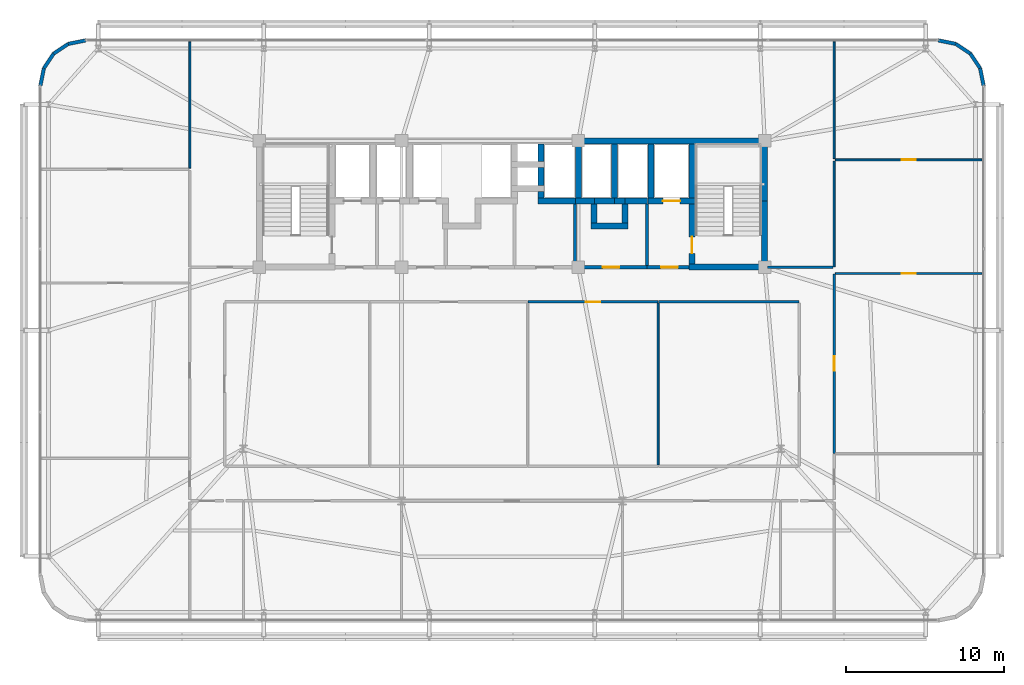
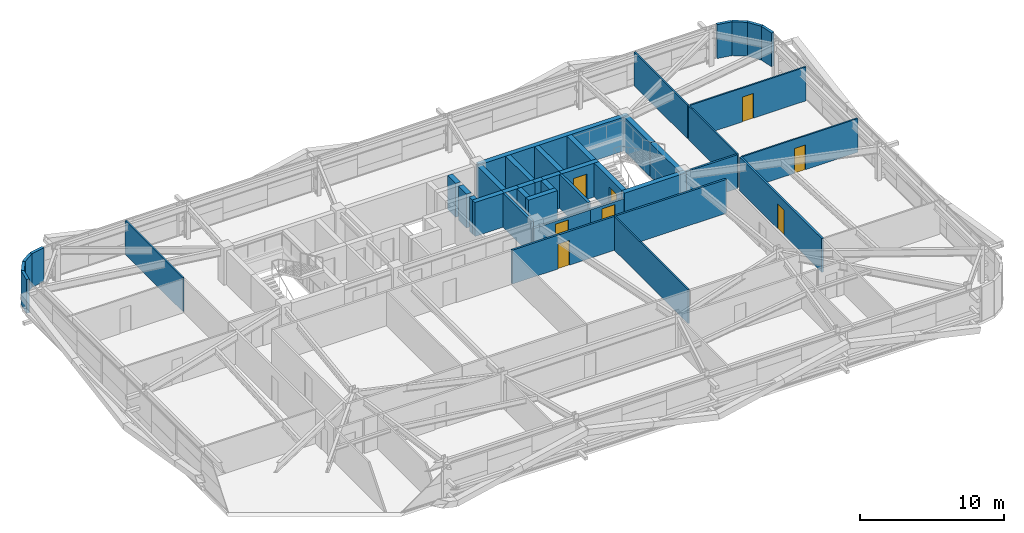
# One storey, part 41 of 45: 43 walls, 8 doors, 8 openings.
"""IFC4 building model written with IfcOpenShell, lengths in metres."""

from ifc_helpers import new_model, si_unit, direction, frame, frame_2d, origin, place, context, subcontext, project, spatial, rectangle, extrude, source, transform, mapped, material, layer, layer_set, type_object, element, fill, save


model = new_model("IFC4")

# Units and contexts
model_context = context("Model", 3, precision=1e-05, world=origin(), true_north=direction((0.0, 1.0)))
body_context = subcontext(model_context, "Body", "Model", "MODEL_VIEW")
ifc_project = project(units=[si_unit("LENGTHUNIT", "METRE"), si_unit("AREAUNIT", "SQUARE_METRE"), si_unit("VOLUMEUNIT", "CUBIC_METRE"), si_unit("PLANEANGLEUNIT", "RADIAN"), si_unit("MASSUNIT", "GRAM", prefix="KILO")], contexts=[model_context])

# Site, building, storey
site_placement = place(None, origin())
site = spatial("IfcSite", under=ifc_project, at=site_placement, CompositionType="ELEMENT")
building_placement = place(site_placement, origin())
building = spatial("IfcBuilding", under=site, at=building_placement, Name="Taldren Reach Tower", CompositionType="ELEMENT")
storey_placement = place(building_placement, frame((0.0, 0.0, 57.75)))
storey = spatial("IfcBuildingStorey", under=building, at=storey_placement, Name="L17", CompositionType="ELEMENT", Elevation=57.75)

# Walls
ifc_material_1 = material(Name="Pale Champagne Anodised Aluminium Cladding", Category="aluminium")
ifc_layer_1 = layer(ifc_material_1, 0.04, Name="Pale Champagne Anodised Aluminium Cladding", Category="aluminium")
ifc_material_2 = material(Name="Mineral Wool Acoustic Insulation", Category="insulation")
ifc_layer_2 = layer(ifc_material_2, 0.06, Name="Mineral Wool Acoustic Insulation", Category="insulation")
ifc_material_3 = material(Name="Steel Gr 350 (C350L0)", Category="steel")
ifc_layer_3 = layer(ifc_material_3, 0.12, Name="Steel Gr 350 (C350L0)", Category="steel")
ifc_layer_set_1 = layer_set([ifc_layer_1, ifc_layer_2, ifc_layer_3], Name="Pale Champagne Aluminium Cladding and Steel Gr 350 Stud Framing")
wall_type_1 = type_object("IfcWallType", Name="EW-CRN-220", PredefinedType="SOLIDWALL", material=ifc_layer_set_1)
shared_shape_1 = source(origin(), body_context, "Body", "SweptSolid", [
    extrude(rectangle(XDim=1.115966796875, YDim=0.219970703125, at=frame_2d((0.55810546875, 0.0))), origin(), (0.0, 0.0, 1.0), 2.8701171875),
])
for number, where, z_axis, x_axis, name in (
    (1, (64.860107421875, 35.5, 0.0), (0.0, 0.0, 1.0), (-0.195148375659, 0.98077373103, 0.0), "Rounded-corner pale-metal facade wall L17-NE1"),
    (2, (64.642333984375, 36.594482421875, 0.0), (0.0, 0.0, 1.0), (-0.555709556774, 0.83137650226, 0.0), "Rounded-corner pale-metal facade wall L17-NE2"),
    (3, (64.022216796875, 37.522216796875, 0.0), (0.0, 0.0, 1.0), (-0.83137650226, 0.555709556774, 0.0), "Rounded-corner pale-metal facade wall L17-NE3"),
    (4, (63.094482421875, 38.142333984375, 0.0), (0.0, 0.0, 1.0), (-0.98077373103, 0.195148375659, 0.0), "Rounded-corner pale-metal facade wall L17-NE4"),
    (5, (8.0, 38.360107421875, 0.0), (0.0, 0.0, 1.0), (-0.98077373103, -0.195148375659, 0.0), "Rounded-corner pale-metal facade wall L17-NW1"),
    (6, (6.905517578125, 38.142333984375, 0.0), (0.0, 0.0, 1.0), (-0.83137650226, -0.555709556774, 0.0), "Rounded-corner pale-metal facade wall L17-NW2"),
    (7, (5.977783203125, 37.522216796875, 0.0), (0.0, 0.0, 1.0), (-0.555709556774, -0.83137650226, 0.0), "Rounded-corner pale-metal facade wall L17-NW3"),
    (8, (5.357666015625, 36.594482421875, 0.0), (0.0, 0.0, 1.0), (-0.195148375659, -0.98077373103, 0.0), "Rounded-corner pale-metal facade wall L17-NW4"),
):
    element("IfcWall", number, at=place(storey_placement, frame(where, z_axis=z_axis, x_axis=x_axis)), inside=storey, type_object=wall_type_1, Name=name, PredefinedType="SOLIDWALL", context=body_context, shape_type="MappedRepresentation", body=[
        mapped(shared_shape_1, transform((0.0, 0.0, 0.0), scale=1.0)),
    ])
ifc_material_4 = material(Name="Concrete S80 (80 MPa)", Category="concrete")
ifc_layer_4 = layer(ifc_material_4, 0.3798828125)
ifc_layer_set_2 = layer_set([ifc_layer_4], Name="Concrete S80 (80 MPa)")
wall_type_2 = type_object("IfcWallType", Name="IW-CORE-380", PredefinedType="SHEAR", material=ifc_layer_set_2)
shared_shape_2 = source(origin(), body_context, "Body", "SweptSolid", [
    extrude(rectangle(XDim=11.989990234375, YDim=0.3798828125, at=frame_2d((5.9951171875, 0.0))), origin(), (0.0, 0.0, 1.0), 2.8701171875),
])
wall_1_placement = place(storey_placement, frame((39.199951171875, 32.0, 0.0), z_axis=(0.0, 0.0, 1.0), x_axis=(1.0, 0.0, 0.0)))
element("IfcWall", 9, at=wall_1_placement, inside=storey, type_object=wall_type_2, Name="Rear Core Shear Wall W-CORE-L17-NORTH3", PredefinedType="SHEAR", context=body_context, shape_type="MappedRepresentation", body=[
    mapped(shared_shape_2, transform((0.0, 0.0, 0.0), scale=1.0)),
])
shared_shape_3 = source(origin(), body_context, "Body", "SweptSolid", [
    extrude(rectangle(XDim=4.010009765625, YDim=0.3798828125, at=frame_2d((2.0048828125, 0.0))), origin(), (0.0, 0.0, 1.0), 2.8701171875),
])
wall_2_placement = place(storey_placement, frame((51.0, 24.18994140625, 0.0), z_axis=(0.0, 0.0, 1.0), x_axis=(0.0, 1.0, 0.0)))
element("IfcWall", 10, at=wall_2_placement, inside=storey, type_object=wall_type_2, Name="Rear Core Shear Wall W-CORE-L17-EAST1", PredefinedType="SHEAR", context=body_context, shape_type="MappedRepresentation", body=[
    mapped(shared_shape_3, transform((0.0, 0.0, 0.0), scale=1.0)),
])
shared_shape_4 = source(origin(), body_context, "Body", "SweptSolid", [
    extrude(rectangle(XDim=3.610107421875, YDim=0.3798828125, at=frame_2d((1.80517578125, 0.0))), origin(), (0.0, 0.0, 1.0), 2.8701171875),
])
wall_3_placement = place(storey_placement, frame((51.0, 28.199951171875, 0.0), z_axis=(0.0, 0.0, 1.0), x_axis=(0.0, 1.0, 0.0)))
element("IfcWall", 11, at=wall_3_placement, inside=storey, type_object=wall_type_2, Name="Rear Core Shear Wall W-CORE-L17-EAST2", PredefinedType="SHEAR", context=body_context, shape_type="MappedRepresentation", body=[
    mapped(shared_shape_4, transform((0.0, 0.0, 0.0), scale=1.0)),
])
shared_shape_5 = source(origin(), body_context, "Body", "SweptSolid", [
    extrude(rectangle(XDim=3.420166015625, YDim=0.3798828125, at=frame_2d((1.7099609375, 0.0))), origin(), (0.0, 0.0, 1.0), 2.8701171875),
])
for number, where, z_axis, x_axis, name in (
    (12, (46.39990234375, 31.81005859375, 0.0), (0.0, 0.0, 1.0), (0.0, -1.0, 0.0), "Rear Core Shear Wall W-INT-L17-008"),
    (13, (43.800048828125, 31.81005859375, 0.0), (0.0, 0.0, 1.0), (0.0, -1.0, 0.0), "Rear Core Shear Wall W-INT-L17-012"),
    (14, (39.199951171875, 28.389892578125, 0.0), (0.0, 0.0, 1.0), (0.0, 1.0, 0.0), "Rear Core Shear Wall W-INT-L17-036"),
    (15, (41.5, 28.389892578125, 0.0), (0.0, 0.0, 1.0), (0.0, 1.0, 0.0), "Rear Core Shear Wall W-INT-L17-039"),
):
    element("IfcWall", number, at=place(storey_placement, frame(where, z_axis=z_axis, x_axis=x_axis)), inside=storey, type_object=wall_type_2, Name=name, PredefinedType="SHEAR", context=body_context, shape_type="MappedRepresentation", body=[
        mapped(shared_shape_5, transform((0.0, 0.0, 0.0), scale=1.0)),
    ])

# Wall, opening, door
shared_shape_6 = source(origin(), body_context, "Body", "SweptSolid", [
    extrude(rectangle(XDim=3.820068359375, YDim=0.3798828125, at=frame_2d((1.91015625, 0.0))), origin(), (0.0, 0.0, 1.0), 2.8701171875),
])
wall_4_placement = place(storey_placement, frame((46.39990234375, 28.010009765625, 0.0), z_axis=(0.0, 0.0, 1.0), x_axis=(0.0, -1.0, 0.0)))
wall_4 = element("IfcWall", 16, at=wall_4_placement, inside=storey, type_object=wall_type_2, Name="Rear Core Shear Wall W-INT-L17-009", PredefinedType="SHEAR", context=body_context, shape_type="MappedRepresentation", body=[
    mapped(shared_shape_6, transform((0.0, 0.0, 0.0), scale=1.0)),
])
shared_shape_7 = source(origin(), body_context, "Body", "SweptSolid", [
    extrude(rectangle(XDim=1.050048828125, YDim=2.10009765625, at=frame_2d((0.52490234375, 1.050048828125))), frame((0.0, 0.199951171875, 0.0), z_axis=(0.0, -1.0, 0.0), x_axis=(1.0, 0.0, 0.0)), (0.0, 0.0, 1.0), 0.39990234375),
])
opening_1_placement = place(wall_4_placement, frame((2.0849609375, 0.0, 0.0)))
opening_1 = element("IfcOpeningElement", 17, at=opening_1_placement, cuts=wall_4, Name="Opening DF-105", PredefinedType="OPENING", context=body_context, shape_type="MappedRepresentation", body=[
    mapped(shared_shape_7, transform((0.0, 0.0, 0.0), scale=1.0)),
])
ifc_material_5 = material(Name="Fire-Rated Care and Stair Exit Door")
door_type_1 = type_object("IfcDoorType", Name="ID-FIRE-105", OperationType="NOTDEFINED", PredefinedType="DOOR", material=ifc_material_5)
shared_shape_8 = source(origin(), body_context, "Body", "SweptSolid", [
    extrude(rectangle(XDim=1.050048828125, YDim=2.10009765625, at=frame_2d((0.52490234375, 1.050048828125))), frame((0.0, 0.02490234375, 0.0), z_axis=(0.0, -1.0, 0.0), x_axis=(1.0, 0.0, 0.0)), (0.0, 0.0, 1.0), 0.050048828125),
])
door_1_placement = place(opening_1_placement, origin())
door_1 = element("IfcDoor", 18, at=door_1_placement, inside=storey, type_object=door_type_1, Name="Fire Exit Stair Door DR-L17-003", OperationType="SINGLE_SWING_RIGHT", OverallHeight=2.10009765625, OverallWidth=1.050048828125, PredefinedType="DOOR", context=body_context, shape_type="MappedRepresentation", body=[
    mapped(shared_shape_8, transform((0.0, 0.0, 0.0), scale=1.0)),
])
fill(opening_1, door_1)

# Wall
shared_shape_9 = source(origin(), body_context, "Body", "SweptSolid", [
    extrude(rectangle(XDim=4.97998046875, YDim=0.3798828125, at=frame_2d((2.489990234375, 0.0))), origin(), (0.0, 0.0, 1.0), 2.8701171875),
])
wall_5_placement = place(storey_placement, frame((46.2099609375, 24.0, 0.0), z_axis=(0.0, 0.0, 1.0), x_axis=(1.0, 0.0, 0.0)))
element("IfcWall", 19, at=wall_5_placement, inside=storey, type_object=wall_type_2, Name="Rear Core Shear Wall W-INT-L17-010", PredefinedType="SHEAR", context=body_context, shape_type="MappedRepresentation", body=[
    mapped(shared_shape_9, transform((0.0, 0.0, 0.0), scale=1.0)),
])

# Wall, opening, door
shared_shape_10 = source(origin(), body_context, "Body", "SweptSolid", [
    extrude(rectangle(XDim=2.97998046875, YDim=0.3798828125, at=frame_2d((1.489990234375, 0.0))), origin(), (0.0, 0.0, 1.0), 2.8701171875),
])
wall_6_placement = place(storey_placement, frame((43.610107421875, 28.199951171875, 0.0), z_axis=(0.0, 0.0, 1.0), x_axis=(1.0, 0.0, 0.0)))
wall_6 = element("IfcWall", 20, at=wall_6_placement, inside=storey, type_object=wall_type_2, Name="Rear Core Shear Wall W-INT-L17-011", PredefinedType="SHEAR", context=body_context, shape_type="MappedRepresentation", body=[
    mapped(shared_shape_10, transform((0.0, 0.0, 0.0), scale=1.0)),
])
shared_shape_11 = source(origin(), body_context, "Body", "SweptSolid", [
    extrude(rectangle(XDim=1.10009765625, YDim=2.14990234375, at=frame_2d((0.550048828125, 1.074951171875))), frame((0.0, 0.199951171875, 0.0), z_axis=(0.0, -1.0, 0.0), x_axis=(1.0, 0.0, 0.0)), (0.0, 0.0, 1.0), 0.39990234375),
])
opening_2_placement = place(wall_6_placement, frame((0.93994140625, 0.0, 0.0)))
opening_2 = element("IfcOpeningElement", 21, at=opening_2_placement, cuts=wall_6, Name="Opening LD-FL2", PredefinedType="OPENING", context=body_context, shape_type="MappedRepresentation", body=[
    mapped(shared_shape_11, transform((0.0, 0.0, 0.0), scale=1.0)),
])
ifc_material_6 = material(Name="Stainless Steel Gr 316 Emergency Lift Landing Door", Category="steel")
door_type_2 = type_object("IfcDoorType", Name="LD-EMG-110", OperationType="SLIDING_TO_LEFT", PredefinedType="DOOR", material=ifc_material_6)
shared_shape_12 = source(origin(), body_context, "Body", "SweptSolid", [
    extrude(rectangle(XDim=1.10009765625, YDim=2.14990234375, at=frame_2d((0.550048828125, 1.074951171875))), frame((0.0, 0.02490234375, 0.0), z_axis=(0.0, -1.0, 0.0), x_axis=(1.0, 0.0, 0.0)), (0.0, 0.0, 1.0), 0.050048828125),
])
door_2_placement = place(opening_2_placement, origin())
door_2 = element("IfcDoor", 22, at=door_2_placement, inside=storey, type_object=door_type_2, Name="Lift Landing Door LD-FL2-L17", OperationType="SLIDING_TO_LEFT", OverallHeight=2.14990234375, OverallWidth=1.10009765625, PredefinedType="DOOR", context=body_context, shape_type="MappedRepresentation", body=[
    mapped(shared_shape_12, transform((0.0, 0.0, 0.0), scale=1.0)),
])
fill(opening_2, door_2)

# Walls
ifc_material_7 = material(Name="Concrete S50 (50 MPa)", Category="concrete")
ifc_layer_5 = layer(ifc_material_7, 0.199951171875)
ifc_layer_set_3 = layer_set([ifc_layer_5], Name="Concrete S50 (50 MPa)")
wall_type_3 = type_object("IfcWallType", Name="IW-CORE-200", PredefinedType="SOLIDWALL", material=ifc_layer_set_3)
shared_shape_13 = source(origin(), body_context, "Body", "SweptSolid", [
    extrude(rectangle(XDim=3.909912109375, YDim=0.199951171875, at=frame_2d((1.955078125, 0.0))), origin(), (0.0, 0.0, 1.0), 2.8701171875),
])
for number, where, z_axis, x_axis, name in (
    (23, (43.550048828125, 28.010009765625, 0.0), (0.0, 0.0, 1.0), (0.0, -1.0, 0.0), "Rear Core Shear Wall W-INT-L17-013"),
    (24, (39.0, 28.010009765625, 0.0), (0.0, 0.0, 1.0), (0.0, -1.0, 0.0), "Rear Core Shear Wall W-INT-L17-044"),
):
    element("IfcWall", number, at=place(storey_placement, frame(where, z_axis=z_axis, x_axis=x_axis)), inside=storey, type_object=wall_type_3, Name=name, PredefinedType="SOLIDWALL", context=body_context, shape_type="MappedRepresentation", body=[
        mapped(shared_shape_13, transform((0.0, 0.0, 0.0), scale=1.0)),
    ])

# Wall, opening, door
shared_shape_14 = source(origin(), body_context, "Body", "SweptSolid", [
    extrude(rectangle(XDim=2.659912109375, YDim=0.199951171875, at=frame_2d((1.330078125, 0.0))), origin(), (0.0, 0.0, 1.0), 2.3369140625),
])
wall_7_placement = place(storey_placement, frame((43.550048828125, 24.0, 0.0), z_axis=(0.0, 0.0, 1.0), x_axis=(1.0, 0.0, 0.0)))
wall_7 = element("IfcWall", 25, at=wall_7_placement, inside=storey, type_object=wall_type_3, Name="Rear Core Shear Wall W-INT-L17-014", PredefinedType="SOLIDWALL", context=body_context, shape_type="MappedRepresentation", body=[
    mapped(shared_shape_14, transform((0.0, 0.0, 0.0), scale=1.0)),
])
shared_shape_15 = source(origin(), body_context, "Body", "SweptSolid", [
    extrude(rectangle(XDim=1.050048828125, YDim=2.10009765625, at=frame_2d((0.52490234375, 1.050048828125))), frame((0.0, 0.10986328125, 0.0), z_axis=(0.0, -1.0, 0.0), x_axis=(1.0, 0.0, 0.0)), (0.0, 0.0, 1.0), 0.219970703125),
])
opening_3_placement = place(wall_7_placement, frame((0.89990234375, 0.0, 0.0)))
opening_3 = element("IfcOpeningElement", 26, at=opening_3_placement, cuts=wall_7, Name="Opening DF-105", PredefinedType="OPENING", context=body_context, shape_type="MappedRepresentation", body=[
    mapped(shared_shape_15, transform((0.0, 0.0, 0.0), scale=1.0)),
])
door_3_placement = place(opening_3_placement, origin())
door_3 = element("IfcDoor", 27, at=door_3_placement, inside=storey, type_object=door_type_1, Name="Interior Door DR-L17-004", OperationType="SINGLE_SWING_LEFT", OverallHeight=2.10009765625, OverallWidth=1.050048828125, PredefinedType="DOOR", context=body_context, shape_type="MappedRepresentation", body=[
    mapped(shared_shape_8, transform((0.0, 0.0, 0.0), scale=1.0)),
])
fill(opening_3, door_3)

# Walls
shared_shape_16 = source(origin(), body_context, "Body", "SweptSolid", [
    extrude(rectangle(XDim=1.1201171875, YDim=0.3798828125, at=frame_2d((0.56005859375, 0.0))), origin(), (0.0, 0.0, 1.0), 2.8701171875),
])
for number, where, z_axis, x_axis, name in (
    (28, (36.85009765625, 30.68994140625, 0.0), (0.0, 0.0, 1.0), (0.0, 1.0, 0.0), "Rear Core Shear Wall W-INT-L17-017"),
    (29, (36.85009765625, 29.18994140625, 0.0), (0.0, 0.0, 1.0), (0.0, 1.0, 0.0), "Rear Core Shear Wall W-INT-L17-019"),
):
    element("IfcWall", number, at=place(storey_placement, frame(where, z_axis=z_axis, x_axis=x_axis)), inside=storey, type_object=wall_type_2, Name=name, PredefinedType="SHEAR", context=body_context, shape_type="MappedRepresentation", body=[
        mapped(shared_shape_16, transform((0.0, 0.0, 0.0), scale=1.0)),
    ])
shared_shape_17 = source(origin(), body_context, "Body", "SweptSolid", [
    extrude(rectangle(XDim=1.219970703125, YDim=0.3798828125, at=frame_2d((0.60986328125, 0.0))), origin(), (0.0, 0.0, 1.0), 2.8701171875),
])
for number, where, z_axis, x_axis, name in (
    (30, (40.199951171875, 28.010009765625, 0.0), (0.0, 0.0, 1.0), (0.0, -1.0, 0.0), "Rear Core Shear Wall W-INT-L17-027"),
    (31, (42.14990234375, 26.7900390625, 0.0), (0.0, 0.0, 1.0), (0.0, 1.0, 0.0), "Rear Core Shear Wall W-INT-L17-028"),
):
    element("IfcWall", number, at=place(storey_placement, frame(where, z_axis=z_axis, x_axis=x_axis)), inside=storey, type_object=wall_type_2, Name=name, PredefinedType="SHEAR", context=body_context, shape_type="MappedRepresentation", body=[
        mapped(shared_shape_17, transform((0.0, 0.0, 0.0), scale=1.0)),
    ])
shared_shape_18 = source(origin(), body_context, "Body", "SweptSolid", [
    extrude(rectangle(XDim=1.320068359375, YDim=0.3798828125, at=frame_2d((0.66015625, 0.0))), origin(), (0.0, 0.0, 1.0), 2.8701171875),
])
wall_8_placement = place(storey_placement, frame((41.52001953125, 28.199951171875, 0.0), z_axis=(0.0, 0.0, 1.0), x_axis=(-1.0, 0.0, 0.0)))
element("IfcWall", 32, at=wall_8_placement, inside=storey, type_object=wall_type_2, Name="Rear Core Shear Wall W-INT-L17-024", PredefinedType="SHEAR", context=body_context, shape_type="MappedRepresentation", body=[
    mapped(shared_shape_18, transform((0.0, 0.0, 0.0), scale=1.0)),
])
shared_shape_19 = source(origin(), body_context, "Body", "SweptSolid", [
    extrude(rectangle(XDim=0.669921875, YDim=0.3798828125, at=frame_2d((0.3349609375, 0.0))), origin(), (0.0, 0.0, 1.0), 2.8701171875),
])
wall_9_placement = place(storey_placement, frame((42.14990234375, 28.199951171875, 0.0), z_axis=(0.0, 0.0, 1.0), x_axis=(-1.0, 0.0, 0.0)))
element("IfcWall", 33, at=wall_9_placement, inside=storey, type_object=wall_type_2, Name="Rear Core Shear Wall W-INT-L17-025", PredefinedType="SHEAR", context=body_context, shape_type="MappedRepresentation", body=[
    mapped(shared_shape_19, transform((0.0, 0.0, 0.0), scale=1.0)),
])
shared_shape_20 = source(origin(), body_context, "Body", "SweptSolid", [
    extrude(rectangle(XDim=2.330078125, YDim=0.3798828125, at=frame_2d((1.1650390625, 0.0))), origin(), (0.0, 0.0, 1.0), 2.8701171875),
])
wall_10_placement = place(storey_placement, frame((40.010009765625, 26.60009765625, 0.0), z_axis=(0.0, 0.0, 1.0), x_axis=(1.0, 0.0, 0.0)))
element("IfcWall", 34, at=wall_10_placement, inside=storey, type_object=wall_type_2, Name="Rear Core Shear Wall W-INT-L17-026", PredefinedType="SHEAR", context=body_context, shape_type="MappedRepresentation", body=[
    mapped(shared_shape_20, transform((0.0, 0.0, 0.0), scale=1.0)),
])
shared_shape_21 = source(origin(), body_context, "Body", "SweptSolid", [
    extrude(rectangle(XDim=0.420166015625, YDim=0.3798828125, at=frame_2d((0.2099609375, 0.0))), origin(), (0.0, 0.0, 1.0), 2.8701171875),
])
wall_11_placement = place(storey_placement, frame((36.85009765625, 28.81005859375, 0.0), z_axis=(0.0, 0.0, 1.0), x_axis=(0.0, -1.0, 0.0)))
element("IfcWall", 35, at=wall_11_placement, inside=storey, type_object=wall_type_2, Name="Rear Core Shear Wall W-INT-L17-038", PredefinedType="SHEAR", context=body_context, shape_type="MappedRepresentation", body=[
    mapped(shared_shape_21, transform((0.0, 0.0, 0.0), scale=1.0)),
])
shared_shape_22 = source(origin(), body_context, "Body", "SweptSolid", [
    extrude(rectangle(XDim=2.360107421875, YDim=0.3798828125, at=frame_2d((1.18017578125, 0.0))), origin(), (0.0, 0.0, 1.0), 2.8701171875),
])
wall_12_placement = place(storey_placement, frame((36.659912109375, 28.199951171875, 0.0), z_axis=(0.0, 0.0, 1.0), x_axis=(1.0, 0.0, 0.0)))
element("IfcWall", 36, at=wall_12_placement, inside=storey, type_object=wall_type_2, Name="Rear Core Shear Wall W-INT-L17-037", PredefinedType="SHEAR", context=body_context, shape_type="MappedRepresentation", body=[
    mapped(shared_shape_22, transform((0.0, 0.0, 0.0), scale=1.0)),
])
shared_shape_23 = source(origin(), body_context, "Body", "SweptSolid", [
    extrude(rectangle(XDim=1.2099609375, YDim=0.3798828125, at=frame_2d((0.60498046875, 0.0))), origin(), (0.0, 0.0, 1.0), 2.8701171875),
])
wall_13_placement = place(storey_placement, frame((39.010009765625, 28.199951171875, 0.0), z_axis=(0.0, 0.0, 1.0), x_axis=(1.0, 0.0, 0.0)))
element("IfcWall", 37, at=wall_13_placement, inside=storey, type_object=wall_type_2, Name="Rear Core Shear Wall W-INT-L17-040", PredefinedType="SHEAR", context=body_context, shape_type="MappedRepresentation", body=[
    mapped(shared_shape_23, transform((0.0, 0.0, 0.0), scale=1.0)),
])
shared_shape_24 = source(origin(), body_context, "Body", "SweptSolid", [
    extrude(rectangle(XDim=1.440185546875, YDim=0.3798828125, at=frame_2d((0.72021484375, 0.0))), origin(), (0.0, 0.0, 1.0), 2.8701171875),
])
wall_14_placement = place(storey_placement, frame((42.1298828125, 28.199951171875, 0.0), z_axis=(0.0, 0.0, 1.0), x_axis=(1.0, 0.0, 0.0)))
element("IfcWall", 38, at=wall_14_placement, inside=storey, type_object=wall_type_2, Name="Rear Core Shear Wall W-INT-L17-041", PredefinedType="SHEAR", context=body_context, shape_type="MappedRepresentation", body=[
    mapped(shared_shape_24, transform((0.0, 0.0, 0.0), scale=1.0)),
])

# Wall, opening, door
shared_shape_25 = source(origin(), body_context, "Body", "SweptSolid", [
    extrude(rectangle(XDim=4.550048828125, YDim=0.199951171875, at=frame_2d((2.27490234375, 0.0))), origin(), (0.0, 0.0, 1.0), 2.3369140625),
])
wall_15_placement = place(storey_placement, frame((43.550048828125, 24.0, 0.0), z_axis=(0.0, 0.0, 1.0), x_axis=(-1.0, 0.0, 0.0)))
wall_15 = element("IfcWall", 39, at=wall_15_placement, inside=storey, type_object=wall_type_3, Name="Rear Core Shear Wall W-INT-L17-046", PredefinedType="SOLIDWALL", context=body_context, shape_type="MappedRepresentation", body=[
    mapped(shared_shape_25, transform((0.0, 0.0, 0.0), scale=1.0)),
])
opening_4_placement = place(wall_15_placement, frame((1.75, 0.0, 0.0)))
opening_4 = element("IfcOpeningElement", 40, at=opening_4_placement, cuts=wall_15, Name="Opening DF-105", PredefinedType="OPENING", context=body_context, shape_type="MappedRepresentation", body=[
    mapped(shared_shape_15, transform((0.0, 0.0, 0.0), scale=1.0)),
])
door_4_placement = place(opening_4_placement, frame((1.050048828125, 0.0, 0.0), z_axis=(0.0, 0.0, 1.0), x_axis=(-1.0, 0.0, 0.0)))
door_4 = element("IfcDoor", 41, at=door_4_placement, inside=storey, type_object=door_type_1, Name="Interior Door DR-L17-008", OperationType="SINGLE_SWING_RIGHT", OverallHeight=2.10009765625, OverallWidth=1.050048828125, PredefinedType="DOOR", context=body_context, shape_type="MappedRepresentation", body=[
    mapped(shared_shape_8, transform((0.0, 0.0, 0.0), scale=1.0)),
])
fill(opening_4, door_4)

ifc_material_8 = material(Name="Fire-Rated Acoustic Plasterboard Stud Wall", Category="gypsum")
ifc_layer_6 = layer(ifc_material_8, 0.159912109375)
ifc_layer_set_4 = layer_set([ifc_layer_6], Name="Fire-Rated Acoustic Plasterboard Stud Wall")
wall_type_4 = type_object("IfcWallType", Name="IW-FIRE-160", PredefinedType="PARTITIONING", material=ifc_layer_set_4)
shared_shape_26 = source(origin(), body_context, "Body", "SweptSolid", [
    extrude(rectangle(XDim=8.215576171875, YDim=0.159912109375, at=frame_2d((4.10791015625, 0.0))), origin(), (0.0, 0.0, 1.0), 2.8701171875),
])
wall_16_placement = place(storey_placement, frame((44.23583984375, 21.800048828125, 0.0), z_axis=(0.0, 0.0, 1.0), x_axis=(-1.0, 0.0, 0.0)))
wall_16 = element("IfcWall", 42, at=wall_16_placement, inside=storey, type_object=wall_type_4, Name="Interior Partition Wall W-INT-L17-050", PredefinedType="PARTITIONING", context=body_context, shape_type="MappedRepresentation", body=[
    mapped(shared_shape_26, transform((0.0, 0.0, 0.0), scale=1.0)),
])
shared_shape_27 = source(origin(), body_context, "Body", "SweptSolid", [
    extrude(rectangle(XDim=0.919921875, YDim=2.10009765625, at=frame_2d((0.4599609375, 1.050048828125))), frame((0.0, 0.08984375, 0.0), z_axis=(0.0, -1.0, 0.0), x_axis=(1.0, 0.0, 0.0)), (0.0, 0.0, 1.0), 0.179931640625),
])
opening_5_placement = place(wall_16_placement, frame((3.647705078125, 0.0, 0.0)))
opening_5 = element("IfcOpeningElement", 43, at=opening_5_placement, cuts=wall_16, Name="Opening DI-092", PredefinedType="OPENING", context=body_context, shape_type="MappedRepresentation", body=[
    mapped(shared_shape_27, transform((0.0, 0.0, 0.0), scale=1.0)),
])
ifc_material_9 = material(Name="Solid-Core Timber Suite Door", Category="wood")
door_type_3 = type_object("IfcDoorType", Name="ID-INT-092", OperationType="NOTDEFINED", PredefinedType="DOOR", material=ifc_material_9)
shared_shape_28 = source(origin(), body_context, "Body", "SweptSolid", [
    extrude(rectangle(XDim=0.919921875, YDim=2.10009765625, at=frame_2d((0.4599609375, 1.050048828125))), frame((0.0, 0.02490234375, 0.0), z_axis=(0.0, -1.0, 0.0), x_axis=(1.0, 0.0, 0.0)), (0.0, 0.0, 1.0), 0.050048828125),
])
door_5_placement = place(opening_5_placement, origin())
door_5 = element("IfcDoor", 44, at=door_5_placement, inside=storey, type_object=door_type_3, Name="Interior Door DR-L17-011", OperationType="SINGLE_SWING_RIGHT", OverallHeight=2.10009765625, OverallWidth=0.919921875, PredefinedType="DOOR", context=body_context, shape_type="MappedRepresentation", body=[
    mapped(shared_shape_28, transform((0.0, 0.0, 0.0), scale=1.0)),
])
fill(opening_5, door_5)

# Wall
shared_shape_29 = source(origin(), body_context, "Body", "SweptSolid", [
    extrude(rectangle(XDim=8.903564453125, YDim=0.159912109375, at=frame_2d((4.45166015625, 0.0))), origin(), (0.0, 0.0, 1.0), 2.8701171875),
])
wall_17_placement = place(storey_placement, frame((53.1796875, 21.800048828125, 0.0), z_axis=(0.0, 0.0, 1.0), x_axis=(-1.0, 0.0, 0.0)))
element("IfcWall", 45, at=wall_17_placement, inside=storey, type_object=wall_type_4, Name="Interior Partition Wall W-INT-L17-052", PredefinedType="PARTITIONING", context=body_context, shape_type="MappedRepresentation", body=[
    mapped(shared_shape_29, transform((0.0, 0.0, 0.0), scale=1.0)),
])

# Wall, opening, door
shared_shape_30 = source(origin(), body_context, "Body", "SweptSolid", [
    extrude(rectangle(XDim=11.373046875, YDim=0.159912109375, at=frame_2d((5.6865234375, 0.0))), origin(), (0.0, 0.0, 1.0), 2.8701171875),
])
wall_18_placement = place(storey_placement, frame((55.39990234375, 23.579345703125, 0.0), z_axis=(0.0, 0.0, 1.0), x_axis=(0.0, -1.0, 0.0)))
wall_18 = element("IfcWall", 46, at=wall_18_placement, inside=storey, type_object=wall_type_4, Name="Interior Partition Wall W-INT-L17-059", PredefinedType="PARTITIONING", context=body_context, shape_type="MappedRepresentation", body=[
    mapped(shared_shape_30, transform((0.0, 0.0, 0.0), scale=1.0)),
])
opening_6_placement = place(wall_18_placement, frame((5.2265625, 0.0, 0.0)))
opening_6 = element("IfcOpeningElement", 47, at=opening_6_placement, cuts=wall_18, Name="Opening DI-092", PredefinedType="OPENING", context=body_context, shape_type="MappedRepresentation", body=[
    mapped(shared_shape_27, transform((0.0, 0.0, 0.0), scale=1.0)),
])
door_6_placement = place(opening_6_placement, origin())
door_6 = element("IfcDoor", 48, at=door_6_placement, inside=storey, type_object=door_type_3, Name="Interior Door DR-L17-018", OperationType="SINGLE_SWING_LEFT", OverallHeight=2.10009765625, OverallWidth=0.919921875, PredefinedType="DOOR", context=body_context, shape_type="MappedRepresentation", body=[
    mapped(shared_shape_28, transform((0.0, 0.0, 0.0), scale=1.0)),
])
fill(opening_6, door_6)

# Walls
shared_shape_31 = source(origin(), body_context, "Body", "SweptSolid", [
    extrude(rectangle(XDim=4.130126953125, YDim=0.159912109375, at=frame_2d((2.06494140625, 0.0))), origin(), (0.0, 0.0, 1.0), 2.8701171875),
])
wall_19_placement = place(storey_placement, frame((51.18994140625, 24.0, 0.0), z_axis=(0.0, 0.0, 1.0), x_axis=(1.0, 0.0, 0.0)))
element("IfcWall", 49, at=wall_19_placement, inside=storey, type_object=wall_type_4, Name="Interior Partition Wall W-INT-L17-061", PredefinedType="PARTITIONING", context=body_context, shape_type="MappedRepresentation", body=[
    mapped(shared_shape_31, transform((0.0, 0.0, 0.0), scale=1.0)),
])
ifc_material_10 = material(Name="Insulated Residential Stud Partition", Category="gypsum")
ifc_layer_7 = layer(ifc_material_10, 0.1201171875)
ifc_layer_set_5 = layer_set([ifc_layer_7], Name="Insulated Residential Stud Partition")
wall_type_5 = type_object("IfcWallType", Name="IW-PART-120", PredefinedType="PARTITIONING", material=ifc_layer_set_5)
shared_shape_32 = source(origin(), body_context, "Body", "SweptSolid", [
    extrude(rectangle(XDim=10.239990234375, YDim=0.1201171875, at=frame_2d((5.1201171875, 0.0))), origin(), (0.0, 0.0, 1.0), 2.8701171875),
])
wall_20_placement = place(storey_placement, frame((44.256103515625, 21.719970703125, 0.0), z_axis=(0.0, 0.0, 1.0), x_axis=(0.0, -1.0, 0.0)))
element("IfcWall", 50, at=wall_20_placement, inside=storey, type_object=wall_type_5, Name="Interior Partition Wall W-INT-L17-073", PredefinedType="PARTITIONING", context=body_context, shape_type="MappedRepresentation", body=[
    mapped(shared_shape_32, transform((0.0, 0.0, 0.0), scale=1.0)),
])
shared_shape_33 = source(origin(), body_context, "Body", "SweptSolid", [
    extrude(rectangle(XDim=7.39013671875, YDim=0.1201171875, at=frame_2d((3.695068359375, 0.0))), origin(), (0.0, 0.0, 1.0), 2.8701171875),
])
wall_21_placement = place(storey_placement, frame((55.39990234375, 30.8798828125, 0.0), z_axis=(0.0, 0.0, 1.0), x_axis=(0.0, 1.0, 0.0)))
element("IfcWall", 51, at=wall_21_placement, inside=storey, type_object=wall_type_5, Name="Interior Partition Wall W-INT-L17-089", PredefinedType="PARTITIONING", context=body_context, shape_type="MappedRepresentation", body=[
    mapped(shared_shape_33, transform((0.0, 0.0, 0.0), scale=1.0)),
])

# Wall, opening, door
shared_shape_34 = source(origin(), body_context, "Body", "SweptSolid", [
    extrude(rectangle(XDim=9.2900390625, YDim=0.1201171875, at=frame_2d((4.64501953125, 0.0))), origin(), (0.0, 0.0, 1.0), 2.8701171875),
])
wall_22_placement = place(storey_placement, frame((55.47998046875, 30.800048828125, 0.0), z_axis=(0.0, 0.0, 1.0), x_axis=(1.0, 0.0, 0.0)))
wall_22 = element("IfcWall", 52, at=wall_22_placement, inside=storey, type_object=wall_type_5, Name="Interior Partition Wall W-INT-L17-087", PredefinedType="PARTITIONING", context=body_context, shape_type="MappedRepresentation", body=[
    mapped(shared_shape_34, transform((0.0, 0.0, 0.0), scale=1.0)),
])
shared_shape_35 = source(origin(), body_context, "Body", "SweptSolid", [
    extrude(rectangle(XDim=0.860107421875, YDim=2.10009765625, at=frame_2d((0.43017578125, 1.050048828125))), frame((0.0, 0.070068359375, 0.0), z_axis=(0.0, -1.0, 0.0), x_axis=(1.0, 0.0, 0.0)), (0.0, 0.0, 1.0), 0.14013671875),
])
opening_7_placement = place(wall_22_placement, frame((4.215087890625, 0.0, 0.0)))
opening_7 = element("IfcOpeningElement", 53, at=opening_7_placement, cuts=wall_22, Name="Opening DI-086", PredefinedType="OPENING", context=body_context, shape_type="MappedRepresentation", body=[
    mapped(shared_shape_35, transform((0.0, 0.0, 0.0), scale=1.0)),
])
ifc_material_11 = material(Name="Timber Bathroom Door", Category="wood")
door_type_4 = type_object("IfcDoorType", Name="ID-INT-086", OperationType="NOTDEFINED", PredefinedType="DOOR", material=ifc_material_11)
shared_shape_36 = source(origin(), body_context, "Body", "SweptSolid", [
    extrude(rectangle(XDim=0.860107421875, YDim=2.10009765625, at=frame_2d((0.43017578125, 1.050048828125))), frame((0.0, 0.02490234375, 0.0), z_axis=(0.0, -1.0, 0.0), x_axis=(1.0, 0.0, 0.0)), (0.0, 0.0, 1.0), 0.050048828125),
])
door_7_placement = place(opening_7_placement, frame((0.860107421875, 0.0, 0.0), z_axis=(0.0, 0.0, 1.0), x_axis=(-1.0, 0.0, 0.0)))
door_7 = element("IfcDoor", 54, at=door_7_placement, inside=storey, type_object=door_type_4, Name="Interior Door DR-L17-026", OperationType="SINGLE_SWING_RIGHT", OverallHeight=2.10009765625, OverallWidth=0.860107421875, PredefinedType="DOOR", context=body_context, shape_type="MappedRepresentation", body=[
    mapped(shared_shape_36, transform((0.0, 0.0, 0.0), scale=1.0)),
])
fill(opening_7, door_7)

shared_shape_37 = source(origin(), body_context, "Body", "SweptSolid", [
    extrude(rectangle(XDim=9.2841796875, YDim=0.1201171875, at=frame_2d((4.64208984375, 0.0))), origin(), (0.0, 0.0, 1.0), 2.8701171875),
])
wall_23_placement = place(storey_placement, frame((55.48291015625, 23.60009765625, 0.0), z_axis=(0.0, 0.0, 1.0), x_axis=(1.0, 0.0, 0.0)))
wall_23 = element("IfcWall", 55, at=wall_23_placement, inside=storey, type_object=wall_type_5, Name="Interior Partition Wall W-INT-L17-086", PredefinedType="PARTITIONING", context=body_context, shape_type="MappedRepresentation", body=[
    mapped(shared_shape_37, transform((0.0, 0.0, 0.0), scale=1.0)),
])
opening_8_placement = place(wall_23_placement, frame((4.212158203125, 0.0, 0.0)))
opening_8 = element("IfcOpeningElement", 56, at=opening_8_placement, cuts=wall_23, Name="Opening DI-086", PredefinedType="OPENING", context=body_context, shape_type="MappedRepresentation", body=[
    mapped(shared_shape_35, transform((0.0, 0.0, 0.0), scale=1.0)),
])
door_8_placement = place(opening_8_placement, origin())
door_8 = element("IfcDoor", 57, at=door_8_placement, inside=storey, type_object=door_type_4, Name="Interior Door DR-L17-025", OperationType="SINGLE_SWING_RIGHT", OverallHeight=2.10009765625, OverallWidth=0.860107421875, PredefinedType="DOOR", context=body_context, shape_type="MappedRepresentation", body=[
    mapped(shared_shape_36, transform((0.0, 0.0, 0.0), scale=1.0)),
])
fill(opening_8, door_8)

# Walls
shared_shape_38 = source(origin(), body_context, "Body", "SweptSolid", [
    extrude(rectangle(XDim=7.989990234375, YDim=0.1201171875, at=frame_2d((3.9951171875, 0.0))), origin(), (0.0, 0.0, 1.0), 2.8701171875),
])
wall_24_placement = place(storey_placement, frame((14.60009765625, 38.27001953125, 0.0), z_axis=(0.0, 0.0, 1.0), x_axis=(0.0, -1.0, 0.0)))
element("IfcWall", 58, at=wall_24_placement, inside=storey, type_object=wall_type_5, Name="Interior Partition Wall W-INT-L17-084", PredefinedType="PARTITIONING", context=body_context, shape_type="MappedRepresentation", body=[
    mapped(shared_shape_38, transform((0.0, 0.0, 0.0), scale=1.0)),
])
shared_shape_39 = source(origin(), body_context, "Body", "SweptSolid", [
    extrude(rectangle(XDim=6.69970703125, YDim=0.1201171875, at=frame_2d((3.349853515625, 0.0))), origin(), (0.0, 0.0, 1.0), 2.8701171875),
])
wall_25_placement = place(storey_placement, frame((55.39990234375, 24.020263671875, 0.0), z_axis=(0.0, 0.0, 1.0), x_axis=(0.0, 1.0, 0.0)))
element("IfcWall", 59, at=wall_25_placement, inside=storey, type_object=wall_type_5, Name="Interior Partition Wall W-INT-L17-088", PredefinedType="PARTITIONING", context=body_context, shape_type="MappedRepresentation", body=[
    mapped(shared_shape_39, transform((0.0, 0.0, 0.0), scale=1.0)),
])

save(model, "model.ifc")
